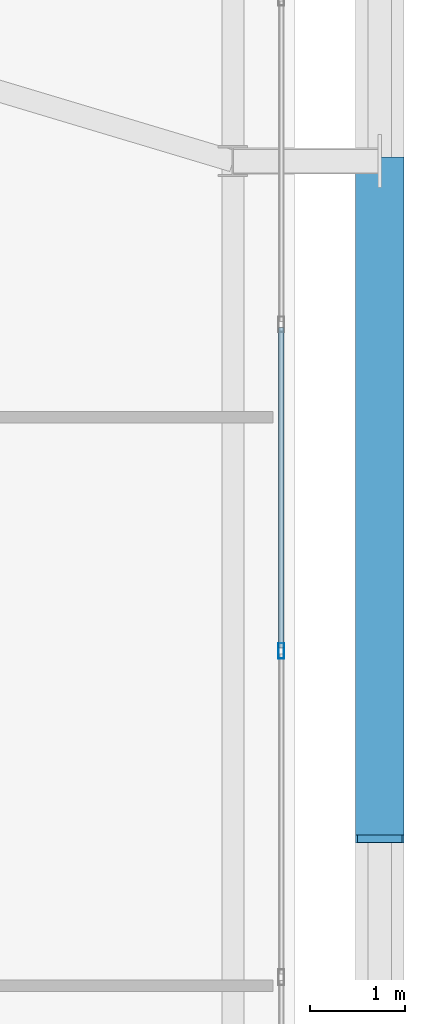
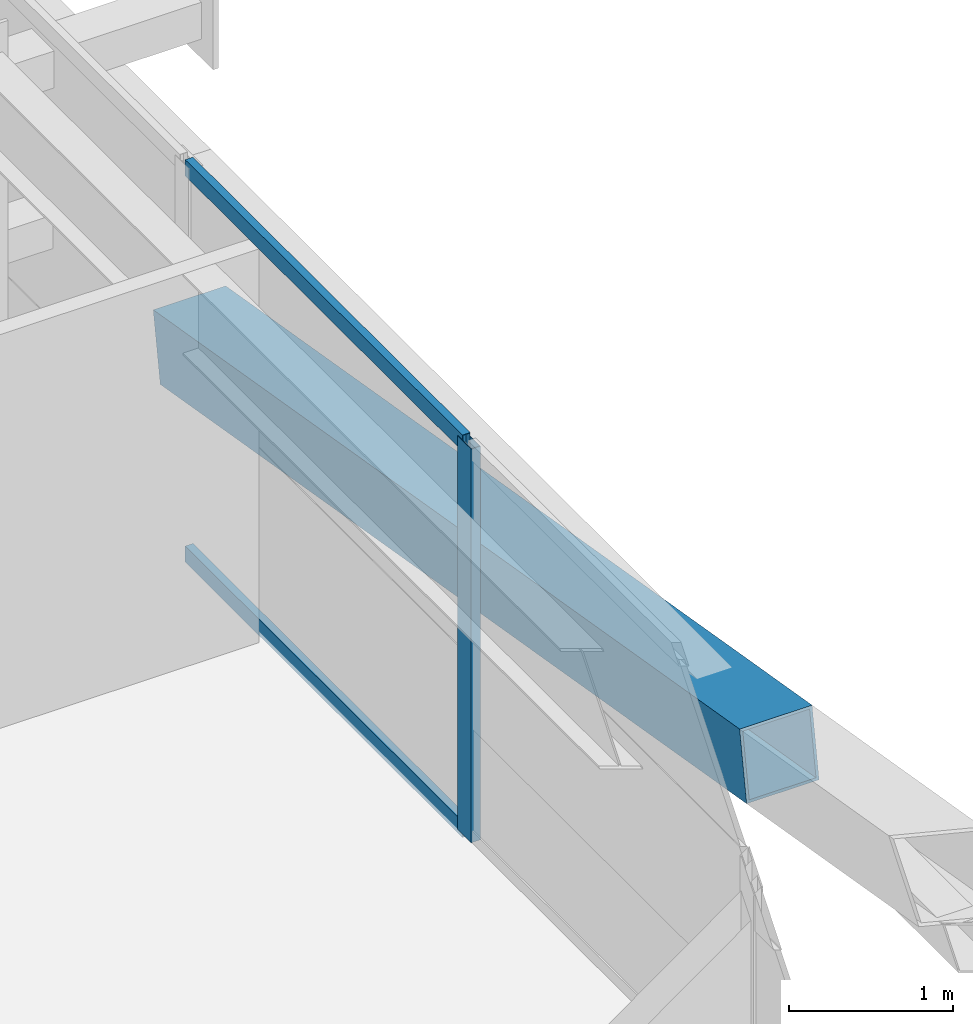
# One storey, part 28 of 59: 4 members, 1 element without a shape of its own.
"""IFC4 building model written with IfcOpenShell, lengths in metres."""

from ifc_helpers import new_model, si_unit, direction, frame, origin, origin_2d, place, context, subcontext, project, spatial, hollow_rectangle, extrude, source, transform, mapped, material, layer, layer_set, material_profile, profile_set, type_object, element, aggregate, save


model = new_model("IFC4")

# Units and contexts
model_context = context("Model", 3, precision=1e-05, world=origin(), true_north=direction((0.0, 1.0)))
body_context = subcontext(model_context, "Body", "Model", "MODEL_VIEW")
ifc_project = project(units=[si_unit("LENGTHUNIT", "METRE"), si_unit("AREAUNIT", "SQUARE_METRE"), si_unit("VOLUMEUNIT", "CUBIC_METRE"), si_unit("PLANEANGLEUNIT", "RADIAN"), si_unit("MASSUNIT", "GRAM", prefix="KILO")], contexts=[model_context])

# Site, building, storey
site_placement = place(None, origin())
site = spatial("IfcSite", under=ifc_project, at=site_placement, CompositionType="ELEMENT")
building_placement = place(site_placement, origin())
building = spatial("IfcBuilding", under=site, at=building_placement, Name="Taldren Reach Tower", CompositionType="ELEMENT")
storey_placement = place(building_placement, frame((0.0, 0.0, 26.25)))
storey = spatial("IfcBuildingStorey", under=building, at=storey_placement, Name="L07", CompositionType="ELEMENT", Elevation=26.25)

# Member
ifc_material_1 = material(Name="Steel Gr 450 (C450L0)", Category="steel")
ifc_material_profile_1 = material_profile(ifc_material_1, hollow_rectangle(XDim=0.510009765625, YDim=0.510009765625, WallThickness=0.02001953125, at=origin_2d()), Name="510x510x20.0SHS")
ifc_profile_set_1 = profile_set([ifc_material_profile_1], Name="Steel Gr 450 (C450L0)")
member_type_1 = type_object("IfcMemberType", Name="MB-EXO508", PredefinedType="BRACE", material=ifc_profile_set_1)
shared_shape_1 = source(origin(), body_context, "Body", "SweptSolid", [
    extrude(hollow_rectangle(XDim=0.510009765625, YDim=0.510009765625, WallThickness=0.02001953125, at=origin_2d()), origin(), (0.0, 0.0, 1.0), 7.25244140625),
])
member_1_placement = place(storey_placement, frame((65.89990234375, 20.0, 0.219970703125), z_axis=(0.0, -0.985864855729, 0.167542490848), x_axis=(1.0, 0.0, 0.0)))
element("IfcMember", 1, at=member_1_placement, inside=storey, type_object=member_type_1, Name="Exoskeleton Diagrid Brace B1-E1 L07", PredefinedType="BRACE", context=body_context, shape_type="MappedRepresentation", body=[
    mapped(shared_shape_1, transform((0.0, 0.0, 0.0), scale=1.0)),
])

# Curtain wall, members
ifc_material_2 = material(Name="Aluminium and Low-E Glass Unitised System", Category="aluminium")
ifc_layer = layer(ifc_material_2, 0.159912109375)
ifc_layer_set = layer_set([ifc_layer], Name="Aluminium and Low-E Glass Unitised System")
curtain_wall_type = type_object("IfcCurtainWallType", Name="CW-SYS-2", PredefinedType="NOTDEFINED", material=ifc_layer_set)
curtain_wall_placement = place(storey_placement, origin())
curtain_wall = element("IfcCurtainWall", 2, at=curtain_wall_placement, inside=storey, type_object=curtain_wall_type, Name="Unitised curtain wall CW-L07-E", PredefinedType="NOTDEFINED")
ifc_material_3 = material(Name="Anodised Aluminium 6063-T6", Category="aluminium")
ifc_material_profile_2 = material_profile(ifc_material_3, hollow_rectangle(XDim=0.06494140625, YDim=0.1650390625, WallThickness=0.00390625, at=origin_2d()), Name="ALU-165x65x4RHS")
ifc_profile_set_2 = profile_set([ifc_material_profile_2], Name="Anodised Aluminium 6063-T6")
member_type_2 = type_object("IfcMemberType", Name="CW-MUL-165", PredefinedType="MULLION", material=ifc_profile_set_2)
shared_shape_2 = source(origin(), body_context, "Body", "SweptSolid", [
    extrude(hollow_rectangle(XDim=0.06494140625, YDim=0.1650390625, WallThickness=0.00390625, at=origin_2d()), origin(), (0.0, 0.0, 1.0), 2.929931640625),
])
member_2_placement = place(storey_placement, frame((64.860107421875, 14.833251953125, 0.0), z_axis=(0.0, 0.0, 1.0), x_axis=(-1.0, 0.0, 0.0)))
member_2 = element("IfcMember", 3, at=member_2_placement, type_object=member_type_2, Name="CW-2 mullion 4", PredefinedType="MULLION", context=body_context, shape_type="MappedRepresentation", body=[
    mapped(shared_shape_2, transform((0.0, 0.0, 0.0), scale=1.0)),
])
ifc_material_profile_3 = material_profile(ifc_material_3, hollow_rectangle(XDim=0.054931640625, YDim=0.1201171875, WallThickness=0.0029296875, at=origin_2d()), Name="ALU-120x55x3RHS")
ifc_profile_set_3 = profile_set([ifc_material_profile_3], Name="Anodised Aluminium 6063-T6")
member_type_3 = type_object("IfcMemberType", Name="CW-TRN-135", PredefinedType="USERDEFINED", material=ifc_profile_set_3)
shared_shape_3 = source(origin(), body_context, "Body", "SweptSolid", [
    extrude(hollow_rectangle(XDim=0.054931640625, YDim=0.1201171875, WallThickness=0.0029296875, at=origin_2d()), origin(), (0.0, 0.0, 1.0), 3.379638671875),
])
member_3_placement = place(storey_placement, frame((64.860107421875, 14.86572265625, 0.027587890625), z_axis=(0.0, 1.0, 0.0), x_axis=(-1.0, 0.0, 0.0)))
member_3 = element("IfcMember", 4, at=member_3_placement, type_object=member_type_3, Name="CW-2 transom 4.1", ObjectType="TRANSOM", PredefinedType="USERDEFINED", context=body_context, shape_type="MappedRepresentation", body=[
    mapped(shared_shape_3, transform((0.0, 0.0, 0.0), scale=1.0)),
])
member_4_placement = place(storey_placement, frame((64.860107421875, 14.86572265625, 2.902587890625), z_axis=(0.0, 1.0, 0.0), x_axis=(-1.0, 0.0, 0.0)))
member_4 = element("IfcMember", 5, at=member_4_placement, type_object=member_type_3, Name="CW-2 transom 4.2", ObjectType="TRANSOM", PredefinedType="USERDEFINED", context=body_context, shape_type="MappedRepresentation", body=[
    mapped(shared_shape_3, transform((0.0, 0.0, 0.0), scale=1.0)),
])
aggregate(curtain_wall, [member_2, member_3, member_4])

save(model, "model.ifc")
